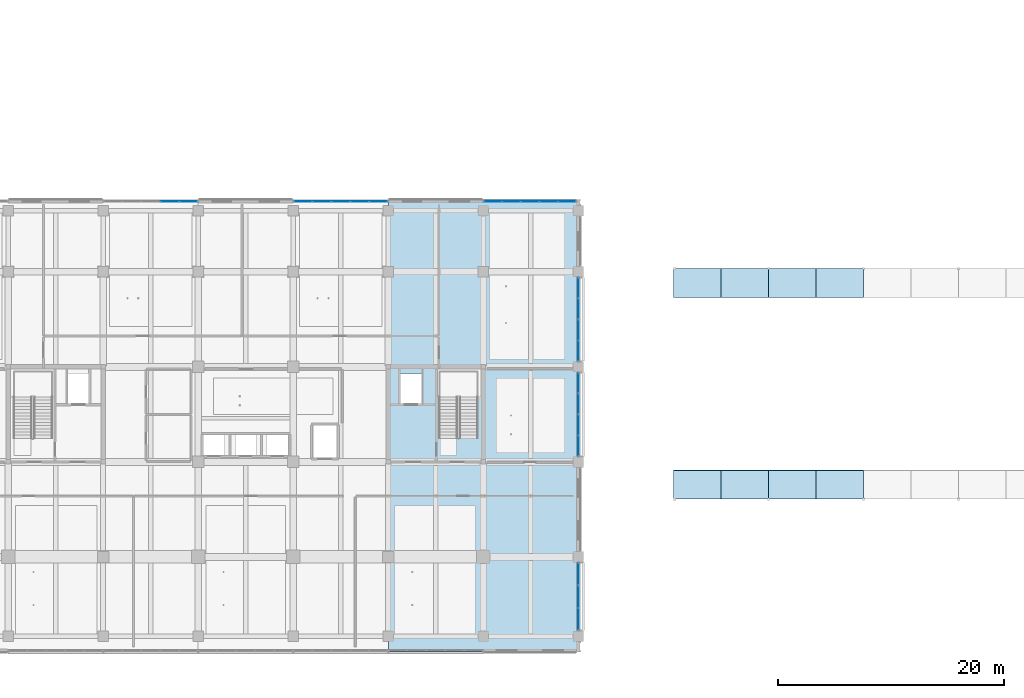
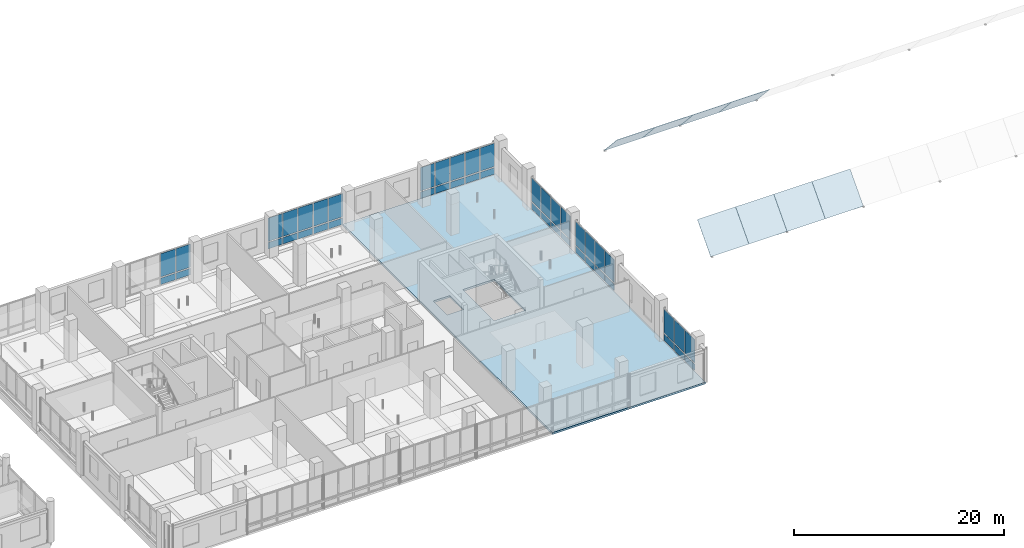
# One storey, part 45 of 122: 54 plates, 1 slab, 6 elements without a shape of their own.
"""IFC4 building model written with IfcOpenShell, lengths in metres."""

from ifc_helpers import new_model, si_unit, direction, frame, origin, origin_2d, place, context, subcontext, project, spatial, polyline, rectangle, outline, extrude, material, layer, layer_set, type_object, element, aggregate, save


model = new_model("IFC4")

# Units and contexts
model_context = context("Model", 3, precision=1e-05, world=origin(), true_north=direction((0.0, 1.0)))
body_context = subcontext(model_context, "Body", "Model", "MODEL_VIEW")
ifc_project = project(units=[si_unit("LENGTHUNIT", "METRE"), si_unit("AREAUNIT", "SQUARE_METRE"), si_unit("VOLUMEUNIT", "CUBIC_METRE"), si_unit("PLANEANGLEUNIT", "RADIAN"), si_unit("MASSUNIT", "GRAM", prefix="KILO")], contexts=[model_context])

# Site, building, storey
site_placement = place(None, origin())
site = spatial("IfcSite", under=ifc_project, at=site_placement, CompositionType="ELEMENT")
building_placement = place(site_placement, origin())
building = spatial("IfcBuilding", under=site, at=building_placement, Name="Telukmera Botanical Conservatory", CompositionType="ELEMENT")
storey_placement = place(building_placement, frame((0.0, 0.0, 10.199951171875)))
storey = spatial("IfcBuildingStorey", under=building, at=storey_placement, Name="L02", CompositionType="ELEMENT", Elevation=10.199951171875)

# Plates
ifc_material_1 = material(Name="Low-iron laminated conservatory glass", Category="glass")
ifc_layer_1 = layer(ifc_material_1, 0.031982421875)
ifc_layer_set_1 = layer_set([ifc_layer_1], Name="Low-iron laminated conservatory glass")
plate_type_1 = type_object("IfcPlateType", Name="Conservatory Gridshell Laminated Skylight Facet 32", PredefinedType="USERDEFINED", material=ifc_layer_set_1)
plate_1_placement = place(storey_placement, frame((117.60205078125, 22.701904296875, 3.45458984375), z_axis=(0.0, -0.739329180313, 0.673344163959), x_axis=(1.0, 0.0, 0.0)))
element("IfcPlate", 1, at=plate_1_placement, inside=storey, type_object=plate_type_1, Name="Conservatory Gridshell Glass Facet 01-03", ObjectType="SKYLIGHT_PANEL", PredefinedType="USERDEFINED", context=body_context, shape_type="SweptSolid", body=[
    extrude(outline(polyline([(0.0, 0.0), (4.196044921875, 0.0), (4.196044921875, 3.78133904533522), (0.0, 3.78133904533522), (0.0, 0.0)])), origin(), (0.0, 0.0, -1.0), 0.031982421875),
])
plate_2_placement = place(storey_placement, frame((117.60205078125, 40.552001953125, 6.250244140625), z_axis=(0.0, 0.739361322608, 0.673308870156), x_axis=(1.0, 0.0, 0.0)))
element("IfcPlate", 2, at=plate_2_placement, inside=storey, type_object=plate_type_1, Name="Conservatory Gridshell Glass Facet 01-10", ObjectType="SKYLIGHT_PANEL", PredefinedType="USERDEFINED", context=body_context, shape_type="SweptSolid", body=[
    extrude(outline(polyline([(0.0, 0.0), (4.196044921875, 0.0), (4.196044921875, 3.7811746589784225), (0.0, 3.7811746589784225), (0.0, 0.0)])), origin(), (0.0, 0.0, -1.0), 0.031982421875),
])
plate_3_placement = place(storey_placement, frame((121.802001953125, 22.701904296875, 3.45458984375), z_axis=(0.0, -0.739329180313, 0.673344163959), x_axis=(1.0, 0.0, 0.0)))
element("IfcPlate", 3, at=plate_3_placement, inside=storey, type_object=plate_type_1, Name="Conservatory Gridshell Glass Facet 02-03", ObjectType="SKYLIGHT_PANEL", PredefinedType="USERDEFINED", context=body_context, shape_type="SweptSolid", body=[
    extrude(outline(polyline([(0.0, 0.0), (4.196044921875, 0.0), (4.196044921875, 3.78133904533522), (0.0, 3.78133904533522), (0.0, 0.0)])), origin(), (0.0, 0.0, -1.0), 0.031982421875),
])
plate_4_placement = place(storey_placement, frame((121.802001953125, 40.552001953125, 6.250244140625), z_axis=(0.0, 0.739361322608, 0.673308870156), x_axis=(1.0, 0.0, 0.0)))
element("IfcPlate", 4, at=plate_4_placement, inside=storey, type_object=plate_type_1, Name="Conservatory Gridshell Glass Facet 02-10", ObjectType="SKYLIGHT_PANEL", PredefinedType="USERDEFINED", context=body_context, shape_type="SweptSolid", body=[
    extrude(outline(polyline([(0.0, 0.0), (4.196044921875, 0.0), (4.196044921875, 3.7811746589784225), (0.0, 3.7811746589784225), (0.0, 0.0)])), origin(), (0.0, 0.0, -1.0), 0.031982421875),
])
plate_5_placement = place(storey_placement, frame((126.001953125, 22.701904296875, 3.45458984375), z_axis=(0.0, -0.739329180313, 0.673344163959), x_axis=(1.0, 0.0, 0.0)))
element("IfcPlate", 5, at=plate_5_placement, inside=storey, type_object=plate_type_1, Name="Conservatory Gridshell Glass Facet 03-03", ObjectType="SKYLIGHT_PANEL", PredefinedType="USERDEFINED", context=body_context, shape_type="SweptSolid", body=[
    extrude(outline(polyline([(0.0, 0.0), (4.196044921875, 0.0), (4.196044921875, 3.78133904533522), (0.0, 3.78133904533522), (0.0, 0.0)])), origin(), (0.0, 0.0, -1.0), 0.031982421875),
])
plate_6_placement = place(storey_placement, frame((126.001953125, 40.552001953125, 6.250244140625), z_axis=(0.0, 0.739361322608, 0.673308870156), x_axis=(1.0, 0.0, 0.0)))
element("IfcPlate", 6, at=plate_6_placement, inside=storey, type_object=plate_type_1, Name="Conservatory Gridshell Glass Facet 03-10", ObjectType="SKYLIGHT_PANEL", PredefinedType="USERDEFINED", context=body_context, shape_type="SweptSolid", body=[
    extrude(outline(polyline([(0.0, 0.0), (4.196044921875, 0.0), (4.196044921875, 3.7811746589784225), (0.0, 3.7811746589784225), (0.0, 0.0)])), origin(), (0.0, 0.0, -1.0), 0.031982421875),
])
plate_7_placement = place(storey_placement, frame((130.201904296875, 22.701904296875, 3.45458984375), z_axis=(0.0, -0.739329180313, 0.673344163959), x_axis=(1.0, 0.0, 0.0)))
element("IfcPlate", 7, at=plate_7_placement, inside=storey, type_object=plate_type_1, Name="Conservatory Gridshell Glass Facet 04-03", ObjectType="SKYLIGHT_PANEL", PredefinedType="USERDEFINED", context=body_context, shape_type="SweptSolid", body=[
    extrude(outline(polyline([(0.0, 0.0), (4.196044921875, 0.0), (4.196044921875, 3.78133904533522), (0.0, 3.78133904533522), (0.0, 0.0)])), origin(), (0.0, 0.0, -1.0), 0.031982421875),
])
plate_8_placement = place(storey_placement, frame((130.201904296875, 40.552001953125, 6.250244140625), z_axis=(0.0, 0.739361322608, 0.673308870156), x_axis=(1.0, 0.0, 0.0)))
element("IfcPlate", 8, at=plate_8_placement, inside=storey, type_object=plate_type_1, Name="Conservatory Gridshell Glass Facet 04-10", ObjectType="SKYLIGHT_PANEL", PredefinedType="USERDEFINED", context=body_context, shape_type="SweptSolid", body=[
    extrude(outline(polyline([(0.0, 0.0), (4.196044921875, 0.0), (4.196044921875, 3.7811746589784225), (0.0, 3.7811746589784225), (0.0, 0.0)])), origin(), (0.0, 0.0, -1.0), 0.031982421875),
])

# Slab
ifc_material_2 = material(Name="Concrete C40/50", Category="concrete")
ifc_layer_2 = layer(ifc_material_2, 0.219970703125)
ifc_layer_set_2 = layer_set([ifc_layer_2], Name="Concrete C40/50")
slab_type = type_object("IfcSlabType", Name="Slab_FS22", PredefinedType="FLOOR", material=ifc_layer_set_2)
slab_placement = place(storey_placement, frame((0.0, 0.0, -0.219970703125)))
element("IfcSlab", 9, at=slab_placement, inside=storey, type_object=slab_type, Name="Tower Floor Slab L02 (EAST)", PredefinedType="FLOOR", context=body_context, shape_type="SweptSolid", body=[
    extrude(outline(polyline([(92.39990234375, 9.199951171875), (109.199951171875, 9.199951171875), (109.199951171875, 49.199951171875), (92.39990234375, 49.199951171875), (92.39990234375, 9.199951171875)]), holes=[polyline([(100.35009765625, 28.093017578125), (100.35009765625, 34.050048828125), (96.8701171875, 34.050048828125), (96.8701171875, 28.093017578125), (100.35009765625, 28.093017578125)]), polyline([(93.47998046875, 31.179931640625), (95.320068359375, 31.179931640625), (95.320068359375, 33.820068359375), (93.47998046875, 33.820068359375), (93.47998046875, 31.179931640625)])]), origin(), (0.0, 0.0, 1.0), 0.219970703125),
])

# Curtain wall, plates
ifc_material_3 = material(Name="Anodised aluminium 6063-T6", Category="aluminium")
ifc_layer_3 = layer(ifc_material_3, 0.179931640625)
ifc_layer_set_3 = layer_set([ifc_layer_3], Name="Anodised aluminium 6063-T6")
curtain_wall_type = type_object("IfcCurtainWallType", Name="Tower Reference Library Curtain Wall", PredefinedType="USERDEFINED", material=ifc_layer_set_3)
curtain_wall_1_placement = place(storey_placement, origin())
curtain_wall_1 = element("IfcCurtainWall", 10, at=curtain_wall_1_placement, inside=storey, type_object=curtain_wall_type, Name="Unitised Curtain Wall CW13 V4:L02:N3", ObjectType="UNITISED CURTAIN WALL", PredefinedType="USERDEFINED")
ifc_material_4 = material(Name="Spectrally selective low-E double glazing", Category="glass")
ifc_layer_4 = layer(ifc_material_4, 0.028076171875)
ifc_layer_set_4 = layer_set([ifc_layer_4], Name="Spectrally selective low-E double glazing")
plate_type_2 = type_object("IfcPlateType", Name="Spectrally Selective Vision Double Glazing Panel 28", PredefinedType="CURTAIN_PANEL", material=ifc_layer_set_4)
plate_9_placement = place(storey_placement, frame((73.0791015625, 49.02001953125, 0.130126953125), z_axis=(0.0, 0.0, 1.0), x_axis=(1.0, 0.0, 0.0)))
plate_9 = element("IfcPlate", 11, at=plate_9_placement, type_object=plate_type_2, Name="CW13 panel 4.1", PredefinedType="CURTAIN_PANEL", context=body_context, shape_type="SweptSolid", body=[
    extrude(rectangle(XDim=1.6142578125, YDim=0.028076171875, at=origin_2d()), origin(), (0.0, 0.0, 1.0), 0.7548828125),
])
plate_10_placement = place(storey_placement, frame((73.0791015625, 49.02001953125, 1.014892578125), z_axis=(0.0, 0.0, 1.0), x_axis=(1.0, 0.0, 0.0)))
plate_10 = element("IfcPlate", 12, at=plate_10_placement, type_object=plate_type_2, Name="CW13 panel 4.2", PredefinedType="CURTAIN_PANEL", context=body_context, shape_type="SweptSolid", body=[
    extrude(rectangle(XDim=1.6142578125, YDim=0.028076171875, at=origin_2d()), origin(), (0.0, 0.0, 1.0), 2.705078125),
])
plate_11_placement = place(storey_placement, frame((74.7421875, 49.02001953125, 0.130126953125), z_axis=(0.0, 0.0, 1.0), x_axis=(1.0, 0.0, 0.0)))
plate_11 = element("IfcPlate", 13, at=plate_11_placement, type_object=plate_type_2, Name="CW13 panel 5.1", PredefinedType="CURTAIN_PANEL", context=body_context, shape_type="SweptSolid", body=[
    extrude(rectangle(XDim=1.581787109375, YDim=0.028076171875, at=origin_2d()), origin(), (0.0, 0.0, 1.0), 0.7548828125),
])
plate_12_placement = place(storey_placement, frame((74.7421875, 49.02001953125, 1.014892578125), z_axis=(0.0, 0.0, 1.0), x_axis=(1.0, 0.0, 0.0)))
plate_12 = element("IfcPlate", 14, at=plate_12_placement, type_object=plate_type_2, Name="CW13 panel 5.2", PredefinedType="CURTAIN_PANEL", context=body_context, shape_type="SweptSolid", body=[
    extrude(rectangle(XDim=1.581787109375, YDim=0.028076171875, at=origin_2d()), origin(), (0.0, 0.0, 1.0), 2.705078125),
])
aggregate(curtain_wall_1, [plate_9, plate_10, plate_11, plate_12])

curtain_wall_2_placement = place(storey_placement, origin())
curtain_wall_2 = element("IfcCurtainWall", 15, at=curtain_wall_2_placement, inside=storey, type_object=curtain_wall_type, Name="Unitised Curtain Wall CW13 V4:L02:N5", ObjectType="UNITISED CURTAIN WALL", PredefinedType="USERDEFINED")
plate_13_placement = place(storey_placement, frame((84.85791015625, 49.02001953125, 0.130126953125), z_axis=(0.0, 0.0, 1.0), x_axis=(1.0, 0.0, 0.0)))
plate_13 = element("IfcPlate", 16, at=plate_13_placement, type_object=plate_type_2, Name="CW13 panel 1.1", PredefinedType="CURTAIN_PANEL", context=body_context, shape_type="SweptSolid", body=[
    extrude(rectangle(XDim=1.581787109375, YDim=0.028076171875, at=origin_2d()), origin(), (0.0, 0.0, 1.0), 0.7548828125),
])
plate_14_placement = place(storey_placement, frame((84.85791015625, 49.02001953125, 1.014892578125), z_axis=(0.0, 0.0, 1.0), x_axis=(1.0, 0.0, 0.0)))
plate_14 = element("IfcPlate", 17, at=plate_14_placement, type_object=plate_type_2, Name="CW13 panel 1.2", PredefinedType="CURTAIN_PANEL", context=body_context, shape_type="SweptSolid", body=[
    extrude(rectangle(XDim=1.581787109375, YDim=0.028076171875, at=origin_2d()), origin(), (0.0, 0.0, 1.0), 2.705078125),
])
plate_15_placement = place(storey_placement, frame((86.520751953125, 49.02001953125, 0.130126953125), z_axis=(0.0, 0.0, 1.0), x_axis=(1.0, 0.0, 0.0)))
plate_15 = element("IfcPlate", 18, at=plate_15_placement, type_object=plate_type_2, Name="CW13 panel 2.1", PredefinedType="CURTAIN_PANEL", context=body_context, shape_type="SweptSolid", body=[
    extrude(rectangle(XDim=1.6142578125, YDim=0.028076171875, at=origin_2d()), origin(), (0.0, 0.0, 1.0), 0.7548828125),
])
plate_16_placement = place(storey_placement, frame((86.520751953125, 49.02001953125, 1.014892578125), z_axis=(0.0, 0.0, 1.0), x_axis=(1.0, 0.0, 0.0)))
plate_16 = element("IfcPlate", 19, at=plate_16_placement, type_object=plate_type_2, Name="CW13 panel 2.2", PredefinedType="CURTAIN_PANEL", context=body_context, shape_type="SweptSolid", body=[
    extrude(rectangle(XDim=1.6142578125, YDim=0.028076171875, at=origin_2d()), origin(), (0.0, 0.0, 1.0), 2.705078125),
])
plate_17_placement = place(storey_placement, frame((88.199951171875, 49.02001953125, 0.130126953125), z_axis=(0.0, 0.0, 1.0), x_axis=(1.0, 0.0, 0.0)))
plate_17 = element("IfcPlate", 20, at=plate_17_placement, type_object=plate_type_2, Name="CW13 panel 3.1", PredefinedType="CURTAIN_PANEL", context=body_context, shape_type="SweptSolid", body=[
    extrude(rectangle(XDim=1.6142578125, YDim=0.028076171875, at=origin_2d()), origin(), (0.0, 0.0, 1.0), 0.7548828125),
])
plate_18_placement = place(storey_placement, frame((88.199951171875, 49.02001953125, 1.014892578125), z_axis=(0.0, 0.0, 1.0), x_axis=(1.0, 0.0, 0.0)))
plate_18 = element("IfcPlate", 21, at=plate_18_placement, type_object=plate_type_2, Name="CW13 panel 3.2", PredefinedType="CURTAIN_PANEL", context=body_context, shape_type="SweptSolid", body=[
    extrude(rectangle(XDim=1.6142578125, YDim=0.028076171875, at=origin_2d()), origin(), (0.0, 0.0, 1.0), 2.705078125),
])
plate_19_placement = place(storey_placement, frame((89.879150390625, 49.02001953125, 0.130126953125), z_axis=(0.0, 0.0, 1.0), x_axis=(1.0, 0.0, 0.0)))
plate_19 = element("IfcPlate", 22, at=plate_19_placement, type_object=plate_type_2, Name="CW13 panel 4.1", PredefinedType="CURTAIN_PANEL", context=body_context, shape_type="SweptSolid", body=[
    extrude(rectangle(XDim=1.6142578125, YDim=0.028076171875, at=origin_2d()), origin(), (0.0, 0.0, 1.0), 0.7548828125),
])
plate_20_placement = place(storey_placement, frame((89.879150390625, 49.02001953125, 1.014892578125), z_axis=(0.0, 0.0, 1.0), x_axis=(1.0, 0.0, 0.0)))
plate_20 = element("IfcPlate", 23, at=plate_20_placement, type_object=plate_type_2, Name="CW13 panel 4.2", PredefinedType="CURTAIN_PANEL", context=body_context, shape_type="SweptSolid", body=[
    extrude(rectangle(XDim=1.6142578125, YDim=0.028076171875, at=origin_2d()), origin(), (0.0, 0.0, 1.0), 2.705078125),
])
plate_21_placement = place(storey_placement, frame((91.542236328125, 49.02001953125, 0.130126953125), z_axis=(0.0, 0.0, 1.0), x_axis=(1.0, 0.0, 0.0)))
plate_21 = element("IfcPlate", 24, at=plate_21_placement, type_object=plate_type_2, Name="CW13 panel 5.1", PredefinedType="CURTAIN_PANEL", context=body_context, shape_type="SweptSolid", body=[
    extrude(rectangle(XDim=1.581787109375, YDim=0.028076171875, at=origin_2d()), origin(), (0.0, 0.0, 1.0), 0.7548828125),
])
plate_22_placement = place(storey_placement, frame((91.542236328125, 49.02001953125, 1.014892578125), z_axis=(0.0, 0.0, 1.0), x_axis=(1.0, 0.0, 0.0)))
plate_22 = element("IfcPlate", 25, at=plate_22_placement, type_object=plate_type_2, Name="CW13 panel 5.2", PredefinedType="CURTAIN_PANEL", context=body_context, shape_type="SweptSolid", body=[
    extrude(rectangle(XDim=1.581787109375, YDim=0.028076171875, at=origin_2d()), origin(), (0.0, 0.0, 1.0), 2.705078125),
])
aggregate(curtain_wall_2, [plate_13, plate_14, plate_15, plate_16, plate_17, plate_18, plate_19, plate_20, plate_21, plate_22])

curtain_wall_3_placement = place(storey_placement, origin())
curtain_wall_3 = element("IfcCurtainWall", 26, at=curtain_wall_3_placement, inside=storey, type_object=curtain_wall_type, Name="Unitised Curtain Wall CW13 V4:L02:N7", ObjectType="UNITISED CURTAIN WALL", PredefinedType="USERDEFINED")
plate_23_placement = place(storey_placement, frame((101.642822265625, 49.02001953125, 0.130126953125), z_axis=(0.0, 0.0, 1.0), x_axis=(1.0, 0.0, 0.0)))
plate_23 = element("IfcPlate", 27, at=plate_23_placement, type_object=plate_type_2, Name="CW13 panel 1.1", PredefinedType="CURTAIN_PANEL", context=body_context, shape_type="SweptSolid", body=[
    extrude(rectangle(XDim=1.5517578125, YDim=0.028076171875, at=origin_2d()), origin(), (0.0, 0.0, 1.0), 0.7548828125),
])
plate_24_placement = place(storey_placement, frame((101.642822265625, 49.02001953125, 1.014892578125), z_axis=(0.0, 0.0, 1.0), x_axis=(1.0, 0.0, 0.0)))
plate_24 = element("IfcPlate", 28, at=plate_24_placement, type_object=plate_type_2, Name="CW13 panel 1.2", PredefinedType="CURTAIN_PANEL", context=body_context, shape_type="SweptSolid", body=[
    extrude(rectangle(XDim=1.5517578125, YDim=0.028076171875, at=origin_2d()), origin(), (0.0, 0.0, 1.0), 2.705078125),
])
plate_25_placement = place(storey_placement, frame((103.27587890625, 49.02001953125, 0.130126953125), z_axis=(0.0, 0.0, 1.0), x_axis=(1.0, 0.0, 0.0)))
plate_25 = element("IfcPlate", 29, at=plate_25_placement, type_object=plate_type_2, Name="CW13 panel 2.1", PredefinedType="CURTAIN_PANEL", context=body_context, shape_type="SweptSolid", body=[
    extrude(rectangle(XDim=1.584228515625, YDim=0.028076171875, at=origin_2d()), origin(), (0.0, 0.0, 1.0), 0.7548828125),
])
plate_26_placement = place(storey_placement, frame((103.27587890625, 49.02001953125, 1.014892578125), z_axis=(0.0, 0.0, 1.0), x_axis=(1.0, 0.0, 0.0)))
plate_26 = element("IfcPlate", 30, at=plate_26_placement, type_object=plate_type_2, Name="CW13 panel 2.2", PredefinedType="CURTAIN_PANEL", context=body_context, shape_type="SweptSolid", body=[
    extrude(rectangle(XDim=1.584228515625, YDim=0.028076171875, at=origin_2d()), origin(), (0.0, 0.0, 1.0), 2.705078125),
])
plate_27_placement = place(storey_placement, frame((104.925048828125, 49.02001953125, 0.130126953125), z_axis=(0.0, 0.0, 1.0), x_axis=(1.0, 0.0, 0.0)))
plate_27 = element("IfcPlate", 31, at=plate_27_placement, type_object=plate_type_2, Name="CW13 panel 3.1", PredefinedType="CURTAIN_PANEL", context=body_context, shape_type="SweptSolid", body=[
    extrude(rectangle(XDim=1.584228515625, YDim=0.028076171875, at=origin_2d()), origin(), (0.0, 0.0, 1.0), 0.7548828125),
])
plate_28_placement = place(storey_placement, frame((104.925048828125, 49.02001953125, 1.014892578125), z_axis=(0.0, 0.0, 1.0), x_axis=(1.0, 0.0, 0.0)))
plate_28 = element("IfcPlate", 32, at=plate_28_placement, type_object=plate_type_2, Name="CW13 panel 3.2", PredefinedType="CURTAIN_PANEL", context=body_context, shape_type="SweptSolid", body=[
    extrude(rectangle(XDim=1.584228515625, YDim=0.028076171875, at=origin_2d()), origin(), (0.0, 0.0, 1.0), 2.705078125),
])
plate_29_placement = place(storey_placement, frame((106.57421875, 49.02001953125, 0.130126953125), z_axis=(0.0, 0.0, 1.0), x_axis=(1.0, 0.0, 0.0)))
plate_29 = element("IfcPlate", 33, at=plate_29_placement, type_object=plate_type_2, Name="CW13 panel 4.1", PredefinedType="CURTAIN_PANEL", context=body_context, shape_type="SweptSolid", body=[
    extrude(rectangle(XDim=1.584228515625, YDim=0.028076171875, at=origin_2d()), origin(), (0.0, 0.0, 1.0), 0.7548828125),
])
plate_30_placement = place(storey_placement, frame((106.57421875, 49.02001953125, 1.014892578125), z_axis=(0.0, 0.0, 1.0), x_axis=(1.0, 0.0, 0.0)))
plate_30 = element("IfcPlate", 34, at=plate_30_placement, type_object=plate_type_2, Name="CW13 panel 4.2", PredefinedType="CURTAIN_PANEL", context=body_context, shape_type="SweptSolid", body=[
    extrude(rectangle(XDim=1.584228515625, YDim=0.028076171875, at=origin_2d()), origin(), (0.0, 0.0, 1.0), 2.705078125),
])
plate_31_placement = place(storey_placement, frame((108.20703125, 49.02001953125, 0.130126953125), z_axis=(0.0, 0.0, 1.0), x_axis=(1.0, 0.0, 0.0)))
plate_31 = element("IfcPlate", 35, at=plate_31_placement, type_object=plate_type_2, Name="CW13 panel 5.1", PredefinedType="CURTAIN_PANEL", context=body_context, shape_type="SweptSolid", body=[
    extrude(rectangle(XDim=1.5517578125, YDim=0.028076171875, at=origin_2d()), origin(), (0.0, 0.0, 1.0), 0.7548828125),
])
plate_32_placement = place(storey_placement, frame((108.20703125, 49.02001953125, 1.014892578125), z_axis=(0.0, 0.0, 1.0), x_axis=(1.0, 0.0, 0.0)))
plate_32 = element("IfcPlate", 36, at=plate_32_placement, type_object=plate_type_2, Name="CW13 panel 5.2", PredefinedType="CURTAIN_PANEL", context=body_context, shape_type="SweptSolid", body=[
    extrude(rectangle(XDim=1.5517578125, YDim=0.028076171875, at=origin_2d()), origin(), (0.0, 0.0, 1.0), 2.705078125),
])
aggregate(curtain_wall_3, [plate_23, plate_24, plate_25, plate_26, plate_27, plate_28, plate_29, plate_30, plate_31, plate_32])

curtain_wall_4_placement = place(storey_placement, origin())
curtain_wall_4 = element("IfcCurtainWall", 37, at=curtain_wall_4_placement, inside=storey, type_object=curtain_wall_type, Name="Unitised Curtain Wall CW13 V4:L02:E1", ObjectType="UNITISED CURTAIN WALL", PredefinedType="USERDEFINED")
plate_33_placement = place(storey_placement, frame((109.199951171875, 12.100830078125, 0.130126953125), z_axis=(0.0, 0.0, 1.0), x_axis=(0.0, 1.0, 0.0)))
plate_33 = element("IfcPlate", 38, at=plate_33_placement, type_object=plate_type_2, Name="CW13 panel 1.1", PredefinedType="CURTAIN_PANEL", context=body_context, shape_type="SweptSolid", body=[
    extrude(rectangle(XDim=1.917724609375, YDim=0.028076171875, at=origin_2d()), origin(), (0.0, 0.0, 1.0), 0.7548828125),
])
plate_34_placement = place(storey_placement, frame((109.199951171875, 12.100830078125, 1.014892578125), z_axis=(0.0, 0.0, 1.0), x_axis=(0.0, 1.0, 0.0)))
plate_34 = element("IfcPlate", 39, at=plate_34_placement, type_object=plate_type_2, Name="CW13 panel 1.2", PredefinedType="CURTAIN_PANEL", context=body_context, shape_type="SweptSolid", body=[
    extrude(rectangle(XDim=1.917724609375, YDim=0.028076171875, at=origin_2d()), origin(), (0.0, 0.0, 1.0), 2.705078125),
])
plate_35_placement = place(storey_placement, frame((109.199951171875, 14.10009765625, 0.130126953125), z_axis=(0.0, 0.0, 1.0), x_axis=(0.0, 1.0, 0.0)))
plate_35 = element("IfcPlate", 40, at=plate_35_placement, type_object=plate_type_2, Name="CW13 panel 2.1", PredefinedType="CURTAIN_PANEL", context=body_context, shape_type="SweptSolid", body=[
    extrude(rectangle(XDim=1.950439453125, YDim=0.028076171875, at=origin_2d()), origin(), (0.0, 0.0, 1.0), 0.7548828125),
])
plate_36_placement = place(storey_placement, frame((109.199951171875, 14.10009765625, 1.014892578125), z_axis=(0.0, 0.0, 1.0), x_axis=(0.0, 1.0, 0.0)))
plate_36 = element("IfcPlate", 41, at=plate_36_placement, type_object=plate_type_2, Name="CW13 panel 2.2", PredefinedType="CURTAIN_PANEL", context=body_context, shape_type="SweptSolid", body=[
    extrude(rectangle(XDim=1.950439453125, YDim=0.028076171875, at=origin_2d()), origin(), (0.0, 0.0, 1.0), 2.705078125),
])
plate_37_placement = place(storey_placement, frame((109.199951171875, 16.09912109375, 0.130126953125), z_axis=(0.0, 0.0, 1.0), x_axis=(0.0, 1.0, 0.0)))
plate_37 = element("IfcPlate", 42, at=plate_37_placement, type_object=plate_type_2, Name="CW13 panel 3.1", PredefinedType="CURTAIN_PANEL", context=body_context, shape_type="SweptSolid", body=[
    extrude(rectangle(XDim=1.917724609375, YDim=0.028076171875, at=origin_2d()), origin(), (0.0, 0.0, 1.0), 0.7548828125),
])
plate_38_placement = place(storey_placement, frame((109.199951171875, 16.09912109375, 1.014892578125), z_axis=(0.0, 0.0, 1.0), x_axis=(0.0, 1.0, 0.0)))
plate_38 = element("IfcPlate", 43, at=plate_38_placement, type_object=plate_type_2, Name="CW13 panel 3.2", PredefinedType="CURTAIN_PANEL", context=body_context, shape_type="SweptSolid", body=[
    extrude(rectangle(XDim=1.917724609375, YDim=0.028076171875, at=origin_2d()), origin(), (0.0, 0.0, 1.0), 2.705078125),
])
aggregate(curtain_wall_4, [plate_33, plate_34, plate_35, plate_36, plate_37, plate_38])

curtain_wall_5_placement = place(storey_placement, origin())
curtain_wall_5 = element("IfcCurtainWall", 44, at=curtain_wall_5_placement, inside=storey, type_object=curtain_wall_type, Name="Unitised Curtain Wall CW13 V4:L02:E3", ObjectType="UNITISED CURTAIN WALL", PredefinedType="USERDEFINED")
plate_39_placement = place(storey_placement, frame((109.199951171875, 27.424072265625, 0.130126953125), z_axis=(0.0, 0.0, 1.0), x_axis=(0.0, 1.0, 0.0)))
plate_39 = element("IfcPlate", 45, at=plate_39_placement, type_object=plate_type_2, Name="CW13 panel 1.1", PredefinedType="CURTAIN_PANEL", context=body_context, shape_type="SweptSolid", body=[
    extrude(rectangle(XDim=1.763916015625, YDim=0.028076171875, at=origin_2d()), origin(), (0.0, 0.0, 1.0), 0.7548828125),
])
plate_40_placement = place(storey_placement, frame((109.199951171875, 27.424072265625, 1.014892578125), z_axis=(0.0, 0.0, 1.0), x_axis=(0.0, 1.0, 0.0)))
plate_40 = element("IfcPlate", 46, at=plate_40_placement, type_object=plate_type_2, Name="CW13 panel 1.2", PredefinedType="CURTAIN_PANEL", context=body_context, shape_type="SweptSolid", body=[
    extrude(rectangle(XDim=1.763916015625, YDim=0.028076171875, at=origin_2d()), origin(), (0.0, 0.0, 1.0), 2.705078125),
])
plate_41_placement = place(storey_placement, frame((109.199951171875, 29.269287109375, 0.130126953125), z_axis=(0.0, 0.0, 1.0), x_axis=(0.0, 1.0, 0.0)))
plate_41 = element("IfcPlate", 47, at=plate_41_placement, type_object=plate_type_2, Name="CW13 panel 2.1", PredefinedType="CURTAIN_PANEL", context=body_context, shape_type="SweptSolid", body=[
    extrude(rectangle(XDim=1.79638671875, YDim=0.028076171875, at=origin_2d()), origin(), (0.0, 0.0, 1.0), 0.7548828125),
])
plate_42_placement = place(storey_placement, frame((109.199951171875, 29.269287109375, 1.014892578125), z_axis=(0.0, 0.0, 1.0), x_axis=(0.0, 1.0, 0.0)))
plate_42 = element("IfcPlate", 48, at=plate_42_placement, type_object=plate_type_2, Name="CW13 panel 2.2", PredefinedType="CURTAIN_PANEL", context=body_context, shape_type="SweptSolid", body=[
    extrude(rectangle(XDim=1.79638671875, YDim=0.028076171875, at=origin_2d()), origin(), (0.0, 0.0, 1.0), 2.705078125),
])
plate_43_placement = place(storey_placement, frame((109.199951171875, 31.130859375, 0.130126953125), z_axis=(0.0, 0.0, 1.0), x_axis=(0.0, 1.0, 0.0)))
plate_43 = element("IfcPlate", 49, at=plate_43_placement, type_object=plate_type_2, Name="CW13 panel 3.1", PredefinedType="CURTAIN_PANEL", context=body_context, shape_type="SweptSolid", body=[
    extrude(rectangle(XDim=1.79638671875, YDim=0.028076171875, at=origin_2d()), origin(), (0.0, 0.0, 1.0), 0.7548828125),
])
plate_44_placement = place(storey_placement, frame((109.199951171875, 31.130859375, 1.014892578125), z_axis=(0.0, 0.0, 1.0), x_axis=(0.0, 1.0, 0.0)))
plate_44 = element("IfcPlate", 50, at=plate_44_placement, type_object=plate_type_2, Name="CW13 panel 3.2", PredefinedType="CURTAIN_PANEL", context=body_context, shape_type="SweptSolid", body=[
    extrude(rectangle(XDim=1.79638671875, YDim=0.028076171875, at=origin_2d()), origin(), (0.0, 0.0, 1.0), 2.705078125),
])
plate_45_placement = place(storey_placement, frame((109.199951171875, 32.97607421875, 0.130126953125), z_axis=(0.0, 0.0, 1.0), x_axis=(0.0, 1.0, 0.0)))
plate_45 = element("IfcPlate", 51, at=plate_45_placement, type_object=plate_type_2, Name="CW13 panel 4.1", PredefinedType="CURTAIN_PANEL", context=body_context, shape_type="SweptSolid", body=[
    extrude(rectangle(XDim=1.763916015625, YDim=0.028076171875, at=origin_2d()), origin(), (0.0, 0.0, 1.0), 0.7548828125),
])
plate_46_placement = place(storey_placement, frame((109.199951171875, 32.97607421875, 1.014892578125), z_axis=(0.0, 0.0, 1.0), x_axis=(0.0, 1.0, 0.0)))
plate_46 = element("IfcPlate", 52, at=plate_46_placement, type_object=plate_type_2, Name="CW13 panel 4.2", PredefinedType="CURTAIN_PANEL", context=body_context, shape_type="SweptSolid", body=[
    extrude(rectangle(XDim=1.763916015625, YDim=0.028076171875, at=origin_2d()), origin(), (0.0, 0.0, 1.0), 2.705078125),
])
aggregate(curtain_wall_5, [plate_39, plate_40, plate_41, plate_42, plate_43, plate_44, plate_45, plate_46])

curtain_wall_6_placement = place(storey_placement, origin())
curtain_wall_6 = element("IfcCurtainWall", 53, at=curtain_wall_6_placement, inside=storey, type_object=curtain_wall_type, Name="Unitised Curtain Wall CW13 V4:L02:E4", ObjectType="UNITISED CURTAIN WALL", PredefinedType="USERDEFINED")
plate_47_placement = place(storey_placement, frame((109.199951171875, 35.823974609375, 0.130126953125), z_axis=(0.0, 0.0, 1.0), x_axis=(0.0, 1.0, 0.0)))
plate_47 = element("IfcPlate", 54, at=plate_47_placement, type_object=plate_type_2, Name="CW13 panel 1.1", PredefinedType="CURTAIN_PANEL", context=body_context, shape_type="SweptSolid", body=[
    extrude(rectangle(XDim=1.763916015625, YDim=0.028076171875, at=origin_2d()), origin(), (0.0, 0.0, 1.0), 0.7548828125),
])
plate_48_placement = place(storey_placement, frame((109.199951171875, 35.823974609375, 1.014892578125), z_axis=(0.0, 0.0, 1.0), x_axis=(0.0, 1.0, 0.0)))
plate_48 = element("IfcPlate", 55, at=plate_48_placement, type_object=plate_type_2, Name="CW13 panel 1.2", PredefinedType="CURTAIN_PANEL", context=body_context, shape_type="SweptSolid", body=[
    extrude(rectangle(XDim=1.763916015625, YDim=0.028076171875, at=origin_2d()), origin(), (0.0, 0.0, 1.0), 2.705078125),
])
plate_49_placement = place(storey_placement, frame((109.199951171875, 37.669189453125, 0.130126953125), z_axis=(0.0, 0.0, 1.0), x_axis=(0.0, 1.0, 0.0)))
plate_49 = element("IfcPlate", 56, at=plate_49_placement, type_object=plate_type_2, Name="CW13 panel 2.1", PredefinedType="CURTAIN_PANEL", context=body_context, shape_type="SweptSolid", body=[
    extrude(rectangle(XDim=1.79638671875, YDim=0.028076171875, at=origin_2d()), origin(), (0.0, 0.0, 1.0), 0.7548828125),
])
plate_50_placement = place(storey_placement, frame((109.199951171875, 37.669189453125, 1.014892578125), z_axis=(0.0, 0.0, 1.0), x_axis=(0.0, 1.0, 0.0)))
plate_50 = element("IfcPlate", 57, at=plate_50_placement, type_object=plate_type_2, Name="CW13 panel 2.2", PredefinedType="CURTAIN_PANEL", context=body_context, shape_type="SweptSolid", body=[
    extrude(rectangle(XDim=1.79638671875, YDim=0.028076171875, at=origin_2d()), origin(), (0.0, 0.0, 1.0), 2.705078125),
])
plate_51_placement = place(storey_placement, frame((109.199951171875, 39.53076171875, 0.130126953125), z_axis=(0.0, 0.0, 1.0), x_axis=(0.0, 1.0, 0.0)))
plate_51 = element("IfcPlate", 58, at=plate_51_placement, type_object=plate_type_2, Name="CW13 panel 3.1", PredefinedType="CURTAIN_PANEL", context=body_context, shape_type="SweptSolid", body=[
    extrude(rectangle(XDim=1.79638671875, YDim=0.028076171875, at=origin_2d()), origin(), (0.0, 0.0, 1.0), 0.7548828125),
])
plate_52_placement = place(storey_placement, frame((109.199951171875, 39.53076171875, 1.014892578125), z_axis=(0.0, 0.0, 1.0), x_axis=(0.0, 1.0, 0.0)))
plate_52 = element("IfcPlate", 59, at=plate_52_placement, type_object=plate_type_2, Name="CW13 panel 3.2", PredefinedType="CURTAIN_PANEL", context=body_context, shape_type="SweptSolid", body=[
    extrude(rectangle(XDim=1.79638671875, YDim=0.028076171875, at=origin_2d()), origin(), (0.0, 0.0, 1.0), 2.705078125),
])
plate_53_placement = place(storey_placement, frame((109.199951171875, 41.3759765625, 0.130126953125), z_axis=(0.0, 0.0, 1.0), x_axis=(0.0, 1.0, 0.0)))
plate_53 = element("IfcPlate", 60, at=plate_53_placement, type_object=plate_type_2, Name="CW13 panel 4.1", PredefinedType="CURTAIN_PANEL", context=body_context, shape_type="SweptSolid", body=[
    extrude(rectangle(XDim=1.763916015625, YDim=0.028076171875, at=origin_2d()), origin(), (0.0, 0.0, 1.0), 0.7548828125),
])
plate_54_placement = place(storey_placement, frame((109.199951171875, 41.3759765625, 1.014892578125), z_axis=(0.0, 0.0, 1.0), x_axis=(0.0, 1.0, 0.0)))
plate_54 = element("IfcPlate", 61, at=plate_54_placement, type_object=plate_type_2, Name="CW13 panel 4.2", PredefinedType="CURTAIN_PANEL", context=body_context, shape_type="SweptSolid", body=[
    extrude(rectangle(XDim=1.763916015625, YDim=0.028076171875, at=origin_2d()), origin(), (0.0, 0.0, 1.0), 2.705078125),
])
aggregate(curtain_wall_6, [plate_47, plate_48, plate_49, plate_50, plate_51, plate_52, plate_53, plate_54])

save(model, "model.ifc")
